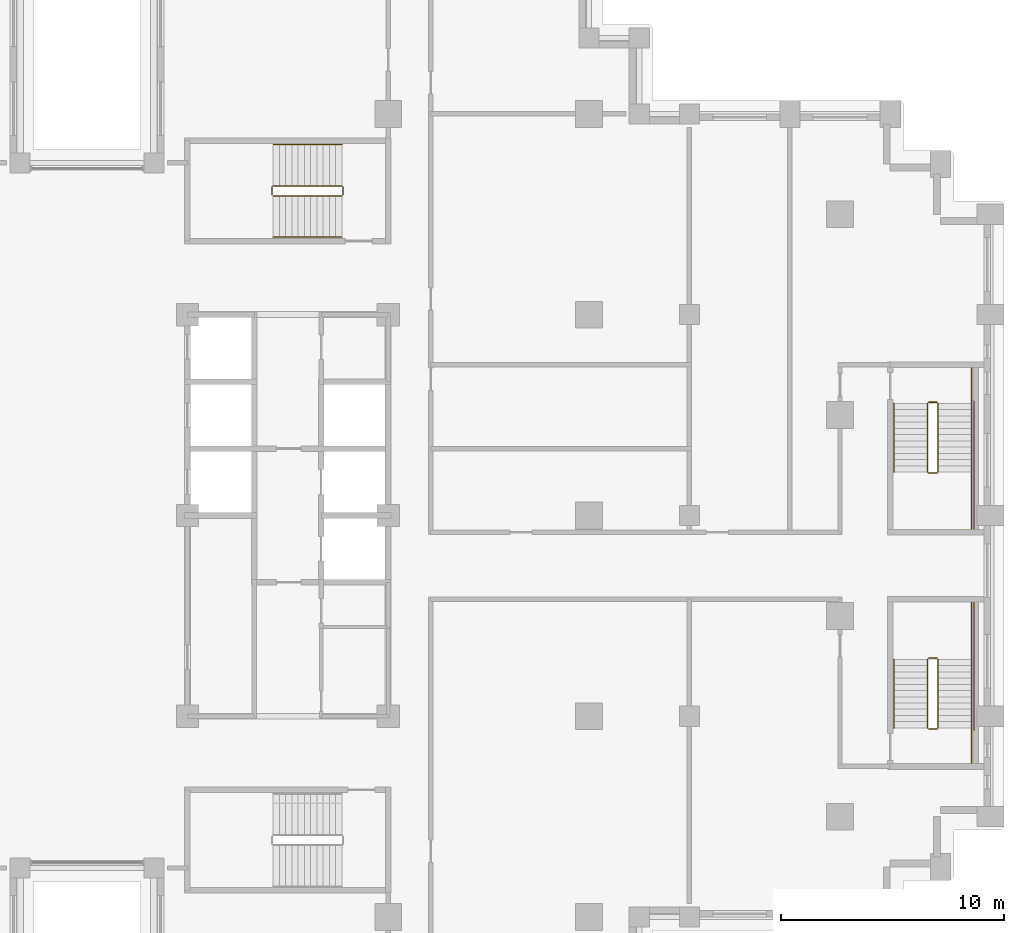
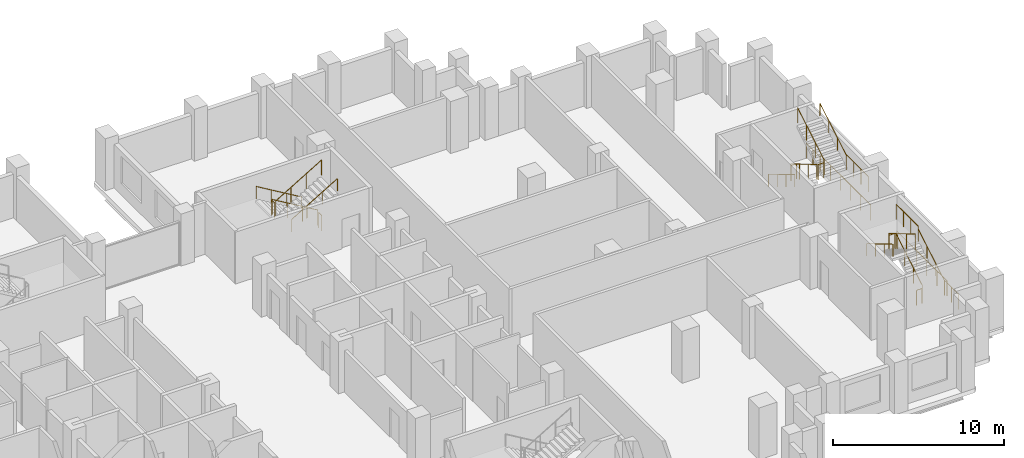
# One storey, part 15 of 15: 3 railings.
"""IFC4 building model written with IfcOpenShell, lengths in metres."""

from ifc_helpers import new_model, si_unit, direction, frame, origin, origin_2d, place, context, subcontext, project, spatial, circle, extrude, material, type_object, element, save


model = new_model("IFC4")

# Units and contexts
model_context = context("Model", 3, precision=1e-05, world=origin(), true_north=direction((0.0, 1.0)))
body_context = subcontext(model_context, "Body", "Model", "MODEL_VIEW")
ifc_project = project(units=[si_unit("LENGTHUNIT", "METRE"), si_unit("AREAUNIT", "SQUARE_METRE"), si_unit("VOLUMEUNIT", "CUBIC_METRE"), si_unit("PLANEANGLEUNIT", "RADIAN"), si_unit("MASSUNIT", "GRAM", prefix="KILO")], contexts=[model_context])

# Site, building, storey
site_placement = place(None, origin())
site = spatial("IfcSite", under=ifc_project, at=site_placement, CompositionType="ELEMENT")
building_placement = place(site_placement, origin())
building = spatial("IfcBuilding", under=site, at=building_placement, Name="Corbelhall Arena Tower", CompositionType="ELEMENT")
storey_placement = place(building_placement, frame((0.0, 0.0, 88.0)))
storey = spatial("IfcBuildingStorey", under=building, at=storey_placement, Name="L14", CompositionType="ELEMENT", Elevation=88.0)

# Railings
ifc_material = material(Name="Steel ASTM A500 Gr C", Category="steel")
railing_type = type_object("IfcRailingType", Name="IN-GD-1100", PredefinedType="GUARDRAIL", material=ifc_material)
railing_1_placement = place(storey_placement, frame((11.425048828125, 14.77490234375, 0.166748046875)))
element("IfcRailing", 1, at=railing_1_placement, inside=storey, type_object=railing_type, Name="L14 ST3 stair guards and handrails", PredefinedType="GUARDRAIL", context=body_context, shape_type="SweptSolid", body=[
    extrude(circle(Radius=0.02392578125, at=origin_2d()), frame((0.0, 0.0, 1.076171875), z_axis=(-0.859308565015, 0.0, 0.511457515432), x_axis=(0.0, -1.0, 0.0)), (0.0, 0.0, 1.0), 3.58447265625),
    extrude(circle(Radius=0.02392578125, at=origin_2d()), frame((-3.130126953125, -0.0498046875, 2.9091796875), z_axis=(0.0, -1.0, 0.0), x_axis=(1.0, 0.0, 0.0)), (0.0, 0.0, 1.0), 0.35009765625),
    extrude(circle(Radius=0.02392578125, at=origin_2d()), frame((-3.080078125, -0.449951171875, 3.076171875), z_axis=(0.859308565015, 0.0, 0.511457515432), x_axis=(0.0, 1.0, 0.0)), (0.0, 0.0, 1.0), 3.58447265625),
    extrude(circle(Radius=0.02392578125, at=origin_2d()), frame((0.050048828125, -0.0498046875, 0.9091796875), z_axis=(0.0, -1.0, 0.0), x_axis=(1.0, 0.0, 0.0)), (0.0, 0.0, 1.0), 0.35009765625),
    extrude(circle(Radius=0.02392578125, at=origin_2d()), frame((0.0, 1.85009765625, 0.8759765625), z_axis=(-0.859308565015, 0.0, 0.511457515432), x_axis=(0.0, -1.0, 0.0)), (0.0, 0.0, 1.0), 3.58447265625),
    extrude(circle(Radius=0.02392578125, at=origin_2d()), frame((-3.080078125, -2.2998046875, 2.8759765625), z_axis=(0.859308565015, 0.0, 0.511457515432), x_axis=(0.0, 1.0, 0.0)), (0.0, 0.0, 1.0), 3.58447265625),
    extrude(circle(Radius=0.02099609375, at=origin_2d()), origin(), (0.0, 0.0, 1.0), 1.052001953125),
    extrude(circle(Radius=0.02099609375, at=origin_2d()), frame((-1.026611328125, 0.0, 0.611083984375)), (0.0, 0.0, 1.0), 1.052001953125),
    extrude(circle(Radius=0.02099609375, at=origin_2d()), frame((-2.053466796875, 0.0, 1.22216796875)), (0.0, 0.0, 1.0), 1.052001953125),
    extrude(circle(Radius=0.02099609375, at=origin_2d()), frame((-3.080078125, 0.0, 1.833251953125)), (0.0, 0.0, 1.0), 1.052001953125),
    extrude(circle(Radius=0.02099609375, at=origin_2d()), frame((-3.130126953125, -0.0498046875, 1.833251953125)), (0.0, 0.0, 1.0), 1.052001953125),
    extrude(circle(Radius=0.02099609375, at=origin_2d()), frame((-3.130126953125, -0.39990234375, 1.833251953125)), (0.0, 0.0, 1.0), 1.052001953125),
    extrude(circle(Radius=0.02099609375, at=origin_2d()), frame((-3.080078125, -0.449951171875, 2.0)), (0.0, 0.0, 1.0), 1.052001953125),
    extrude(circle(Radius=0.02099609375, at=origin_2d()), frame((-2.053466796875, -0.449951171875, 2.611083984375)), (0.0, 0.0, 1.0), 1.052001953125),
    extrude(circle(Radius=0.02099609375, at=origin_2d()), frame((-1.026611328125, -0.449951171875, 3.22216796875)), (0.0, 0.0, 1.0), 1.052001953125),
    extrude(circle(Radius=0.02099609375, at=origin_2d()), frame((0.0, -0.449951171875, 3.833251953125)), (0.0, 0.0, 1.0), 1.052001953125),
    extrude(circle(Radius=0.02099609375, at=origin_2d()), frame((0.050048828125, -0.0498046875, -0.166748046875)), (0.0, 0.0, 1.0), 1.052001953125),
    extrude(circle(Radius=0.02099609375, at=origin_2d()), frame((0.050048828125, -0.39990234375, -0.166748046875)), (0.0, 0.0, 1.0), 1.052001953125),
    extrude(circle(Radius=0.02099609375, at=origin_2d()), frame((0.0, 1.85009765625, 0.0)), (0.0, 0.0, 1.0), 0.851806640625),
    extrude(circle(Radius=0.02099609375, at=origin_2d()), frame((-1.026611328125, 1.85009765625, 0.611083984375)), (0.0, 0.0, 1.0), 0.851806640625),
    extrude(circle(Radius=0.02099609375, at=origin_2d()), frame((-2.053466796875, 1.85009765625, 1.22216796875)), (0.0, 0.0, 1.0), 0.851806640625),
    extrude(circle(Radius=0.02099609375, at=origin_2d()), frame((-3.080078125, 1.85009765625, 1.833251953125)), (0.0, 0.0, 1.0), 0.851806640625),
    extrude(circle(Radius=0.02099609375, at=origin_2d()), frame((-3.080078125, -2.2998046875, 2.0)), (0.0, 0.0, 1.0), 0.851806640625),
    extrude(circle(Radius=0.02099609375, at=origin_2d()), frame((-2.053466796875, -2.2998046875, 2.611083984375)), (0.0, 0.0, 1.0), 0.851806640625),
    extrude(circle(Radius=0.02099609375, at=origin_2d()), frame((-1.026611328125, -2.2998046875, 3.22216796875)), (0.0, 0.0, 1.0), 0.851806640625),
    extrude(circle(Radius=0.02099609375, at=origin_2d()), frame((0.0, -2.2998046875, 3.833251953125)), (0.0, 0.0, 1.0), 0.851806640625),
])
railing_2_placement = place(storey_placement, frame((38.14990234375, -9.52490234375, 0.166748046875)))
element("IfcRailing", 2, at=railing_2_placement, inside=storey, type_object=railing_type, Name="L14 SD1 stair guards and handrails", PredefinedType="GUARDRAIL", context=body_context, shape_type="SweptSolid", body=[
    extrude(circle(Radius=0.02392578125, at=origin_2d()), frame((0.0, 0.0, 1.076171875), z_axis=(0.0, 0.859290745958, 0.51148745235), x_axis=(-1.0, 0.0, 0.0)), (0.0, 0.0, 1.0), 3.584228515625),
    extrude(circle(Radius=0.02392578125, at=origin_2d()), frame((-0.0498046875, 3.1298828125, 2.9091796875), z_axis=(-1.0, 0.0, 0.0), x_axis=(0.0, -1.0, 0.0)), (0.0, 0.0, 1.0), 0.375),
    extrude(circle(Radius=0.02392578125, at=origin_2d()), frame((1.5, 3.079833984375, 2.9091796875), z_axis=(0.0, 1.0, 0.0), x_axis=(-1.0, 0.0, 0.0)), (0.0, 0.0, 1.0), 2.570068359375),
    extrude(circle(Radius=0.02392578125, at=origin_2d()), frame((-0.474853515625, 3.079833984375, 3.076171875), z_axis=(0.0, -0.859290745958, 0.51148745235), x_axis=(1.0, 0.0, 0.0)), (0.0, 0.0, 1.0), 3.584228515625),
    extrude(circle(Radius=0.02392578125, at=origin_2d()), frame((-0.0498046875, -0.050048828125, 0.9091796875), z_axis=(-1.0, 0.0, 0.0), x_axis=(0.0, -1.0, 0.0)), (0.0, 0.0, 1.0), 0.375),
    extrude(circle(Radius=0.02392578125, at=origin_2d()), frame((1.5, -1.60009765625, 0.9091796875), z_axis=(0.0, 1.0, 0.0), x_axis=(-1.0, 0.0, 0.0)), (0.0, 0.0, 1.0), 1.60009765625),
    extrude(circle(Radius=0.02392578125, at=origin_2d()), frame((1.60009765625, -0.10009765625, 0.9091796875), z_axis=(0.0, 1.0, 0.0), x_axis=(-1.0, 0.0, 0.0)), (0.0, 0.0, 1.0), 5.85009765625),
    extrude(circle(Radius=0.02392578125, at=origin_2d()), frame((1.5, 0.0, 0.8759765625), z_axis=(0.0, 0.859290745958, 0.51148745235), x_axis=(-1.0, 0.0, 0.0)), (0.0, 0.0, 1.0), 3.584228515625),
    extrude(circle(Radius=0.02392578125, at=origin_2d()), frame((-1.974853515625, 3.079833984375, 2.8759765625), z_axis=(0.0, -0.859290745958, 0.51148745235), x_axis=(1.0, 0.0, 0.0)), (0.0, 0.0, 1.0), 3.584228515625),
    extrude(circle(Radius=0.02099609375, at=origin_2d()), origin(), (0.0, 0.0, 1.0), 1.052001953125),
    extrude(circle(Radius=0.02099609375, at=origin_2d()), frame((0.0, 1.026611328125, 0.611083984375)), (0.0, 0.0, 1.0), 1.052001953125),
    extrude(circle(Radius=0.02099609375, at=origin_2d()), frame((0.0, 2.05322265625, 1.22216796875)), (0.0, 0.0, 1.0), 1.052001953125),
    extrude(circle(Radius=0.02099609375, at=origin_2d()), frame((0.0, 3.079833984375, 1.833251953125)), (0.0, 0.0, 1.0), 1.052001953125),
    extrude(circle(Radius=0.02099609375, at=origin_2d()), frame((-0.0498046875, 3.1298828125, 1.833251953125)), (0.0, 0.0, 1.0), 1.052001953125),
    extrude(circle(Radius=0.02099609375, at=origin_2d()), frame((-0.4248046875, 3.1298828125, 1.833251953125)), (0.0, 0.0, 1.0), 1.052001953125),
    extrude(circle(Radius=0.02099609375, at=origin_2d()), frame((1.5, 3.079833984375, 1.833251953125)), (0.0, 0.0, 1.0), 1.052001953125),
    extrude(circle(Radius=0.02099609375, at=origin_2d()), frame((1.5, 3.9365234375, 1.833251953125)), (0.0, 0.0, 1.0), 1.052001953125),
    extrude(circle(Radius=0.02099609375, at=origin_2d()), frame((1.5, 4.793212890625, 1.833251953125)), (0.0, 0.0, 1.0), 1.052001953125),
    extrude(circle(Radius=0.02099609375, at=origin_2d()), frame((1.5, 5.64990234375, 1.833251953125)), (0.0, 0.0, 1.0), 1.052001953125),
    extrude(circle(Radius=0.02099609375, at=origin_2d()), frame((-0.474853515625, 3.079833984375, 2.0)), (0.0, 0.0, 1.0), 1.052001953125),
    extrude(circle(Radius=0.02099609375, at=origin_2d()), frame((-0.474853515625, 2.05322265625, 2.611083984375)), (0.0, 0.0, 1.0), 1.052001953125),
    extrude(circle(Radius=0.02099609375, at=origin_2d()), frame((-0.474853515625, 1.026611328125, 3.22216796875)), (0.0, 0.0, 1.0), 1.052001953125),
    extrude(circle(Radius=0.02099609375, at=origin_2d()), frame((-0.474853515625, 0.0, 3.833251953125)), (0.0, 0.0, 1.0), 1.052001953125),
    extrude(circle(Radius=0.02099609375, at=origin_2d()), frame((-0.0498046875, -0.050048828125, -0.166748046875)), (0.0, 0.0, 1.0), 1.052001953125),
    extrude(circle(Radius=0.02099609375, at=origin_2d()), frame((-0.4248046875, -0.050048828125, -0.166748046875)), (0.0, 0.0, 1.0), 1.052001953125),
    extrude(circle(Radius=0.02099609375, at=origin_2d()), frame((1.5, -1.60009765625, -0.166748046875)), (0.0, 0.0, 1.0), 1.052001953125),
    extrude(circle(Radius=0.02099609375, at=origin_2d()), frame((1.5, -0.800048828125, -0.166748046875)), (0.0, 0.0, 1.0), 1.052001953125),
    extrude(circle(Radius=0.02099609375, at=origin_2d()), frame((1.5, 0.0, -0.166748046875)), (0.0, 0.0, 1.0), 1.052001953125),
    extrude(circle(Radius=0.02099609375, at=origin_2d()), frame((1.60009765625, -0.10009765625, -0.166748046875)), (0.0, 0.0, 1.0), 1.052001953125),
    extrude(circle(Radius=0.02099609375, at=origin_2d()), frame((1.60009765625, 1.06982421875, -0.166748046875)), (0.0, 0.0, 1.0), 1.052001953125),
    extrude(circle(Radius=0.02099609375, at=origin_2d()), frame((1.60009765625, 2.239990234375, -0.166748046875)), (0.0, 0.0, 1.0), 1.052001953125),
    extrude(circle(Radius=0.02099609375, at=origin_2d()), frame((1.60009765625, 3.409912109375, -0.166748046875)), (0.0, 0.0, 1.0), 1.052001953125),
    extrude(circle(Radius=0.02099609375, at=origin_2d()), frame((1.60009765625, 4.580078125, -0.166748046875)), (0.0, 0.0, 1.0), 1.052001953125),
    extrude(circle(Radius=0.02099609375, at=origin_2d()), frame((1.60009765625, 5.75, -0.166748046875)), (0.0, 0.0, 1.0), 1.052001953125),
    extrude(circle(Radius=0.02099609375, at=origin_2d()), frame((1.5, 0.0, 0.0)), (0.0, 0.0, 1.0), 0.851806640625),
    extrude(circle(Radius=0.02099609375, at=origin_2d()), frame((1.5, 1.026611328125, 0.611083984375)), (0.0, 0.0, 1.0), 0.851806640625),
    extrude(circle(Radius=0.02099609375, at=origin_2d()), frame((1.5, 2.05322265625, 1.22216796875)), (0.0, 0.0, 1.0), 0.851806640625),
    extrude(circle(Radius=0.02099609375, at=origin_2d()), frame((-1.974853515625, 3.079833984375, 2.0)), (0.0, 0.0, 1.0), 0.851806640625),
    extrude(circle(Radius=0.02099609375, at=origin_2d()), frame((-1.974853515625, 2.05322265625, 2.611083984375)), (0.0, 0.0, 1.0), 0.851806640625),
    extrude(circle(Radius=0.02099609375, at=origin_2d()), frame((-1.974853515625, 1.026611328125, 3.22216796875)), (0.0, 0.0, 1.0), 0.851806640625),
    extrude(circle(Radius=0.02099609375, at=origin_2d()), frame((-1.974853515625, 0.0, 3.833251953125)), (0.0, 0.0, 1.0), 0.851806640625),
])
railing_3_placement = place(storey_placement, frame((37.675048828125, 5.02490234375, 0.166748046875)))
element("IfcRailing", 3, at=railing_3_placement, inside=storey, type_object=railing_type, Name="L14 SD2 stair guards and handrails", PredefinedType="GUARDRAIL", context=body_context, shape_type="SweptSolid", body=[
    extrude(circle(Radius=0.02392578125, at=origin_2d()), frame((0.0, 0.0, 1.076171875), z_axis=(0.0, -0.859290745958, 0.51148745235), x_axis=(1.0, 0.0, 0.0)), (0.0, 0.0, 1.0), 3.584228515625),
    extrude(circle(Radius=0.02392578125, at=origin_2d()), frame((0.050048828125, -3.1298828125, 2.9091796875), z_axis=(1.0, 0.0, 0.0), x_axis=(0.0, 1.0, 0.0)), (0.0, 0.0, 1.0), 0.375),
    extrude(circle(Radius=0.02392578125, at=origin_2d()), frame((1.974853515625, -3.079833984375, 2.9091796875), z_axis=(0.0, -1.0, 0.0), x_axis=(1.0, 0.0, 0.0)), (0.0, 0.0, 1.0), 2.570068359375),
    extrude(circle(Radius=0.02392578125, at=origin_2d()), frame((0.474853515625, -3.079833984375, 3.076171875), z_axis=(0.0, 0.859290745958, 0.51148745235), x_axis=(-1.0, 0.0, 0.0)), (0.0, 0.0, 1.0), 3.584228515625),
    extrude(circle(Radius=0.02392578125, at=origin_2d()), frame((0.050048828125, 0.050048828125, 0.9091796875), z_axis=(1.0, 0.0, 0.0), x_axis=(0.0, 1.0, 0.0)), (0.0, 0.0, 1.0), 0.375),
    extrude(circle(Radius=0.02392578125, at=origin_2d()), frame((1.974853515625, 1.60009765625, 0.9091796875), z_axis=(0.0, -1.0, 0.0), x_axis=(1.0, 0.0, 0.0)), (0.0, 0.0, 1.0), 1.60009765625),
    extrude(circle(Radius=0.02392578125, at=origin_2d()), frame((2.074951171875, 0.10009765625, 0.9091796875), z_axis=(0.0, -1.0, 0.0), x_axis=(1.0, 0.0, 0.0)), (0.0, 0.0, 1.0), 5.85009765625),
    extrude(circle(Radius=0.02392578125, at=origin_2d()), frame((-1.5, 0.0, 0.8759765625), z_axis=(0.0, -0.859290745958, 0.51148745235), x_axis=(1.0, 0.0, 0.0)), (0.0, 0.0, 1.0), 3.584228515625),
    extrude(circle(Radius=0.02392578125, at=origin_2d()), frame((1.974853515625, -3.079833984375, 2.8759765625), z_axis=(0.0, 0.859290745958, 0.51148745235), x_axis=(-1.0, 0.0, 0.0)), (0.0, 0.0, 1.0), 3.584228515625),
    extrude(circle(Radius=0.02099609375, at=origin_2d()), origin(), (0.0, 0.0, 1.0), 1.052001953125),
    extrude(circle(Radius=0.02099609375, at=origin_2d()), frame((0.0, -1.026611328125, 0.611083984375)), (0.0, 0.0, 1.0), 1.052001953125),
    extrude(circle(Radius=0.02099609375, at=origin_2d()), frame((0.0, -2.05322265625, 1.22216796875)), (0.0, 0.0, 1.0), 1.052001953125),
    extrude(circle(Radius=0.02099609375, at=origin_2d()), frame((0.0, -3.079833984375, 1.833251953125)), (0.0, 0.0, 1.0), 1.052001953125),
    extrude(circle(Radius=0.02099609375, at=origin_2d()), frame((0.050048828125, -3.1298828125, 1.833251953125)), (0.0, 0.0, 1.0), 1.052001953125),
    extrude(circle(Radius=0.02099609375, at=origin_2d()), frame((0.425048828125, -3.1298828125, 1.833251953125)), (0.0, 0.0, 1.0), 1.052001953125),
    extrude(circle(Radius=0.02099609375, at=origin_2d()), frame((1.974853515625, -3.079833984375, 1.833251953125)), (0.0, 0.0, 1.0), 1.052001953125),
    extrude(circle(Radius=0.02099609375, at=origin_2d()), frame((1.974853515625, -3.9365234375, 1.833251953125)), (0.0, 0.0, 1.0), 1.052001953125),
    extrude(circle(Radius=0.02099609375, at=origin_2d()), frame((1.974853515625, -4.793212890625, 1.833251953125)), (0.0, 0.0, 1.0), 1.052001953125),
    extrude(circle(Radius=0.02099609375, at=origin_2d()), frame((1.974853515625, -5.64990234375, 1.833251953125)), (0.0, 0.0, 1.0), 1.052001953125),
    extrude(circle(Radius=0.02099609375, at=origin_2d()), frame((0.474853515625, -3.079833984375, 2.0)), (0.0, 0.0, 1.0), 1.052001953125),
    extrude(circle(Radius=0.02099609375, at=origin_2d()), frame((0.474853515625, -2.05322265625, 2.611083984375)), (0.0, 0.0, 1.0), 1.052001953125),
    extrude(circle(Radius=0.02099609375, at=origin_2d()), frame((0.474853515625, -1.026611328125, 3.22216796875)), (0.0, 0.0, 1.0), 1.052001953125),
    extrude(circle(Radius=0.02099609375, at=origin_2d()), frame((0.474853515625, 0.0, 3.833251953125)), (0.0, 0.0, 1.0), 1.052001953125),
    extrude(circle(Radius=0.02099609375, at=origin_2d()), frame((0.050048828125, 0.050048828125, -0.166748046875)), (0.0, 0.0, 1.0), 1.052001953125),
    extrude(circle(Radius=0.02099609375, at=origin_2d()), frame((0.425048828125, 0.050048828125, -0.166748046875)), (0.0, 0.0, 1.0), 1.052001953125),
    extrude(circle(Radius=0.02099609375, at=origin_2d()), frame((1.974853515625, 1.60009765625, -0.166748046875)), (0.0, 0.0, 1.0), 1.052001953125),
    extrude(circle(Radius=0.02099609375, at=origin_2d()), frame((1.974853515625, 0.800048828125, -0.166748046875)), (0.0, 0.0, 1.0), 1.052001953125),
    extrude(circle(Radius=0.02099609375, at=origin_2d()), frame((1.974853515625, 0.0, -0.166748046875)), (0.0, 0.0, 1.0), 1.052001953125),
    extrude(circle(Radius=0.02099609375, at=origin_2d()), frame((2.074951171875, 0.10009765625, -0.166748046875)), (0.0, 0.0, 1.0), 1.052001953125),
    extrude(circle(Radius=0.02099609375, at=origin_2d()), frame((2.074951171875, -1.06982421875, -0.166748046875)), (0.0, 0.0, 1.0), 1.052001953125),
    extrude(circle(Radius=0.02099609375, at=origin_2d()), frame((2.074951171875, -2.239990234375, -0.166748046875)), (0.0, 0.0, 1.0), 1.052001953125),
    extrude(circle(Radius=0.02099609375, at=origin_2d()), frame((2.074951171875, -3.409912109375, -0.166748046875)), (0.0, 0.0, 1.0), 1.052001953125),
    extrude(circle(Radius=0.02099609375, at=origin_2d()), frame((2.074951171875, -4.580078125, -0.166748046875)), (0.0, 0.0, 1.0), 1.052001953125),
    extrude(circle(Radius=0.02099609375, at=origin_2d()), frame((2.074951171875, -5.75, -0.166748046875)), (0.0, 0.0, 1.0), 1.052001953125),
    extrude(circle(Radius=0.02099609375, at=origin_2d()), frame((-1.5, 0.0, 0.0)), (0.0, 0.0, 1.0), 0.851806640625),
    extrude(circle(Radius=0.02099609375, at=origin_2d()), frame((-1.5, -1.026611328125, 0.611083984375)), (0.0, 0.0, 1.0), 0.851806640625),
    extrude(circle(Radius=0.02099609375, at=origin_2d()), frame((-1.5, -2.05322265625, 1.22216796875)), (0.0, 0.0, 1.0), 0.851806640625),
    extrude(circle(Radius=0.02099609375, at=origin_2d()), frame((-1.5, -3.079833984375, 1.833251953125)), (0.0, 0.0, 1.0), 0.851806640625),
    extrude(circle(Radius=0.02099609375, at=origin_2d()), frame((1.974853515625, -3.079833984375, 2.0)), (0.0, 0.0, 1.0), 0.851806640625),
    extrude(circle(Radius=0.02099609375, at=origin_2d()), frame((1.974853515625, -2.05322265625, 2.611083984375)), (0.0, 0.0, 1.0), 0.851806640625),
    extrude(circle(Radius=0.02099609375, at=origin_2d()), frame((1.974853515625, -1.026611328125, 3.22216796875)), (0.0, 0.0, 1.0), 0.851806640625),
    extrude(circle(Radius=0.02099609375, at=origin_2d()), frame((1.974853515625, 0.0, 3.833251953125)), (0.0, 0.0, 1.0), 0.851806640625),
])

save(model, "model.ifc")
